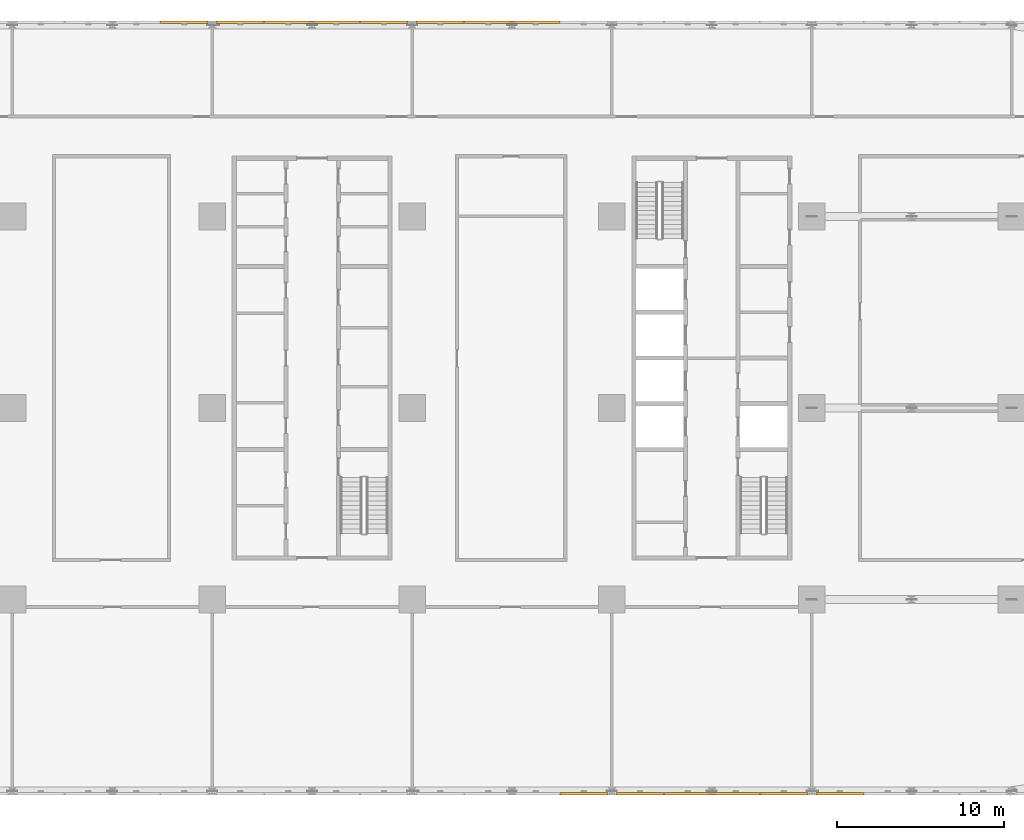
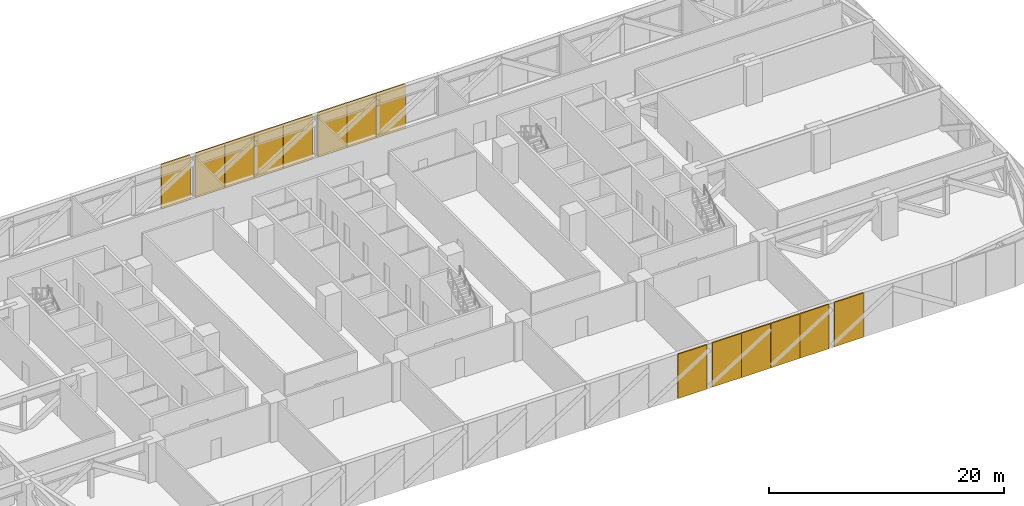
# One storey, part 23 of 25: 14 coverings.
"""IFC4 building model written with IfcOpenShell, lengths in metres."""

from ifc_helpers import new_model, si_unit, direction, frame, origin, origin_2d, place, context, subcontext, project, spatial, rectangle, extrude, material, type_object, element, save


model = new_model("IFC4")

# Units and contexts
model_context = context("Model", 3, precision=1e-05, world=origin(), true_north=direction((0.0, 1.0)))
body_context = subcontext(model_context, "Body", "Model", "MODEL_VIEW")
ifc_project = project(units=[si_unit("LENGTHUNIT", "METRE"), si_unit("AREAUNIT", "SQUARE_METRE"), si_unit("VOLUMEUNIT", "CUBIC_METRE"), si_unit("PLANEANGLEUNIT", "RADIAN"), si_unit("MASSUNIT", "GRAM", prefix="KILO")], contexts=[model_context])

# Site, building, storey
site_placement = place(None, origin())
site = spatial("IfcSite", under=ifc_project, at=site_placement, CompositionType="ELEMENT")
building_placement = place(site_placement, origin())
building = spatial("IfcBuilding", under=site, at=building_placement, Name="Mahtab Terrace Research Tower", CompositionType="ELEMENT")
storey_placement = place(building_placement, frame((0.0, 0.0, 41.60009765625)))
storey = spatial("IfcBuildingStorey", under=building, at=storey_placement, Name="L09", CompositionType="ELEMENT", Elevation=41.60009765625)

# Coverings
ifc_material = material(Name="Natural anodised aluminium", Category="aluminium")
covering_type = type_object("IfcCoveringType", Name="Plant storey louvre bay", PredefinedType="CLADDING", material=ifc_material)
for number, where, z_axis, x_axis, name in (
    (1, (13.437744140625, 23.159912109375, -0.55029296875), (0.0, 0.0, 1.0), (-1.0, 0.0, 0.0), "Louvre bay L09 34"),
    (2, (10.562255859375, 23.159912109375, -0.55029296875), (0.0, 0.0, 1.0), (-1.0, 0.0, 0.0), "Louvre bay L09 35"),
    (3, (7.686767578125, 23.159912109375, -0.55029296875), (0.0, 0.0, 1.0), (-1.0, 0.0, 0.0), "Louvre bay L09 36"),
    (4, (4.313232421875, 23.159912109375, -0.55029296875), (0.0, 0.0, 1.0), (-1.0, 0.0, 0.0), "Louvre bay L09 37"),
    (5, (1.437744140625, 23.159912109375, -0.55029296875), (0.0, 0.0, 1.0), (-1.0, 0.0, 0.0), "Louvre bay L09 38"),
    (6, (-1.437744140625, 23.159912109375, -0.55029296875), (0.0, 0.0, 1.0), (-1.0, 0.0, 0.0), "Louvre bay L09 39"),
    (7, (-4.313232421875, 23.159912109375, -0.55029296875), (0.0, 0.0, 1.0), (-1.0, 0.0, 0.0), "Louvre bay L09 40"),
    (8, (-7.686767578125, 23.159912109375, -0.55029296875), (0.0, 0.0, 1.0), (-1.0, 0.0, 0.0), "Louvre bay L09 41"),
    (9, (16.313232421875, -23.159912109375, -0.55029296875), (0.0, 0.0, 1.0), (1.0, 0.0, 0.0), "Louvre bay L09 91"),
    (10, (19.686767578125, -23.159912109375, -0.55029296875), (0.0, 0.0, 1.0), (1.0, 0.0, 0.0), "Louvre bay L09 92"),
    (11, (22.562255859375, -23.159912109375, -0.55029296875), (0.0, 0.0, 1.0), (1.0, 0.0, 0.0), "Louvre bay L09 93"),
    (12, (25.437744140625, -23.159912109375, -0.55029296875), (0.0, 0.0, 1.0), (1.0, 0.0, 0.0), "Louvre bay L09 94"),
    (13, (28.313232421875, -23.159912109375, -0.55029296875), (0.0, 0.0, 1.0), (1.0, 0.0, 0.0), "Louvre bay L09 95"),
    (14, (31.686767578125, -23.159912109375, -0.55029296875), (0.0, 0.0, 1.0), (1.0, 0.0, 0.0), "Louvre bay L09 96"),
):
    element("IfcCovering", number, at=place(storey_placement, frame(where, z_axis=z_axis, x_axis=x_axis)), inside=storey, type_object=covering_type, Name=name, PredefinedType="CLADDING", context=body_context, shape_type="SweptSolid", body=[
        extrude(rectangle(XDim=2.83544921875, YDim=0.139892578125, at=origin_2d()), origin(), (0.0, 0.0, 1.0), 4.610107421875),
    ])

save(model, "model.ifc")
